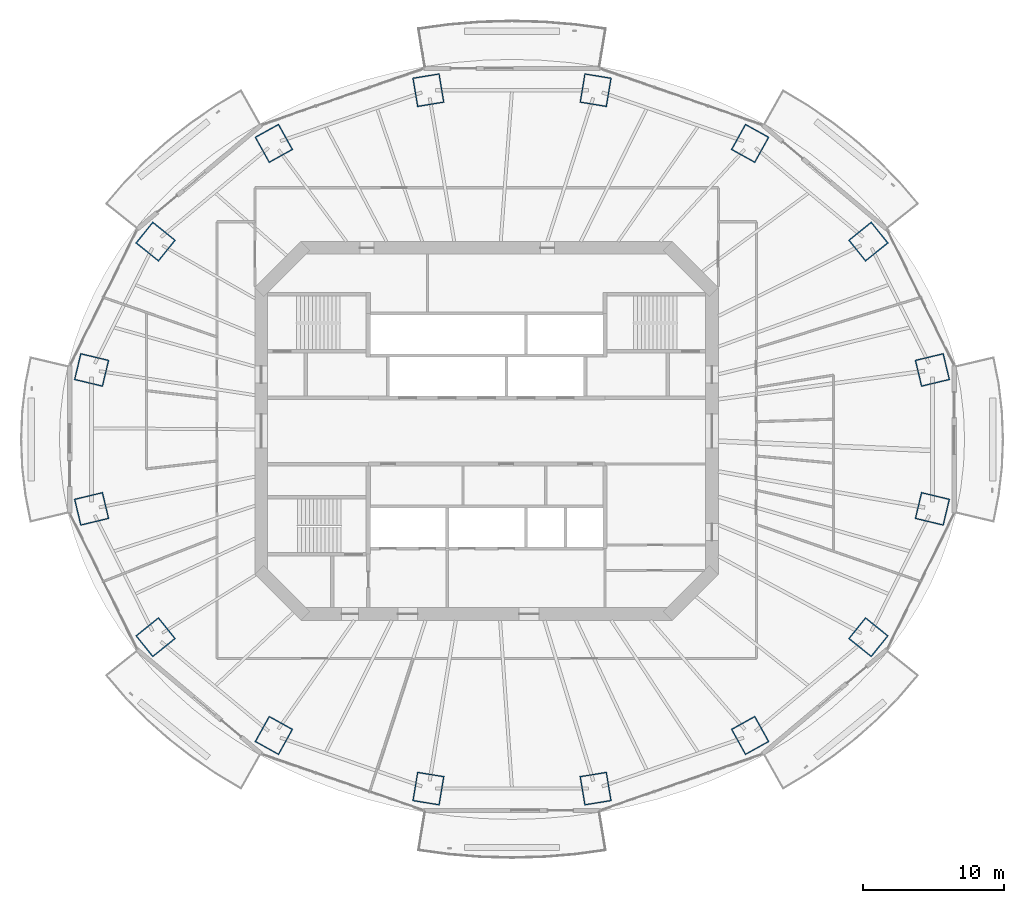
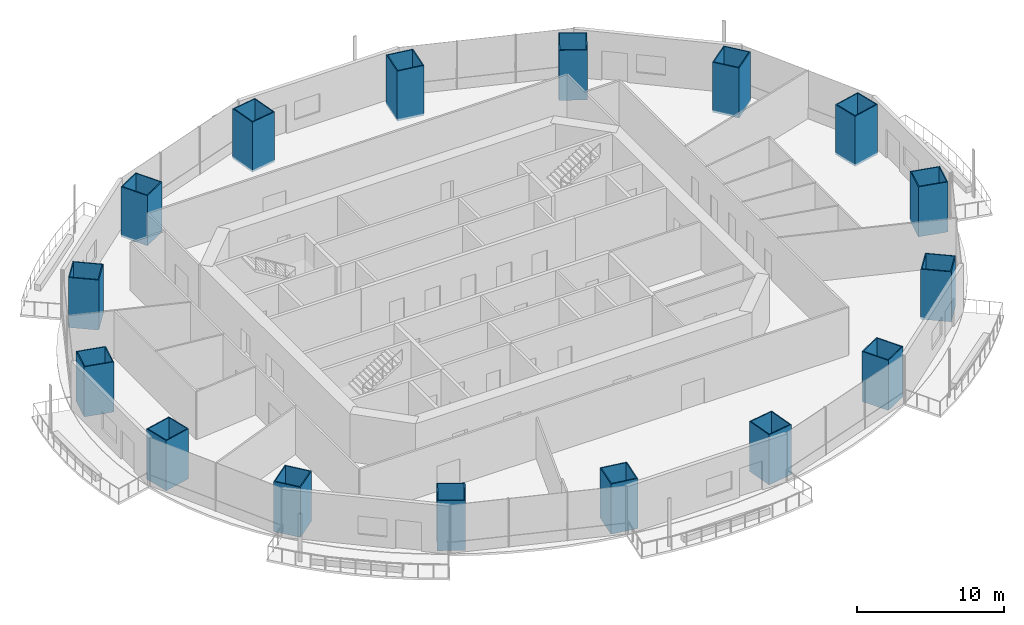
# One storey, part 1 of 20: 16 columns.
"""IFC4 building model written with IfcOpenShell, lengths in metres."""

from ifc_helpers import new_model, si_unit, direction, frame, origin, origin_2d, place, context, subcontext, project, spatial, rectangle, hollow_rectangle, extrude, material, material_profile, profile_set, type_object, element, save


model = new_model("IFC4")

# Units and contexts
model_context = context("Model", 3, precision=1e-05, world=origin(), true_north=direction((0.0, 1.0)))
body_context = subcontext(model_context, "Body", "Model", "MODEL_VIEW")
ifc_project = project(units=[si_unit("LENGTHUNIT", "METRE"), si_unit("AREAUNIT", "SQUARE_METRE"), si_unit("VOLUMEUNIT", "CUBIC_METRE"), si_unit("PLANEANGLEUNIT", "RADIAN"), si_unit("MASSUNIT", "GRAM", prefix="KILO")], contexts=[model_context])

# Site, building, storey
site_placement = place(None, origin())
site = spatial("IfcSite", under=ifc_project, at=site_placement, CompositionType="ELEMENT")
building_placement = place(site_placement, origin())
building = spatial("IfcBuilding", under=site, at=building_placement, Name="Marenthal Gate Tower", CompositionType="ELEMENT")
storey_placement = place(building_placement, frame((0.0, 0.0, 190.10009765625)))
storey = spatial("IfcBuildingStorey", under=building, at=storey_placement, Name="L41", CompositionType="ELEMENT", Elevation=190.10009765625)

# Columns
ifc_material_1 = material(Name="Steel S460", Category="steel")
ifc_material_profile_1 = material_profile(ifc_material_1, hollow_rectangle(XDim=1.949951171875, YDim=2.10009765625, WallThickness=0.074951171875, at=origin_2d()), Name="CFT BOX 2100X1950X75")
ifc_material_2 = material(Name="Concrete 70 MPa", Category="concrete")
ifc_material_profile_2 = material_profile(ifc_material_2, rectangle(XDim=1.800048828125, YDim=1.949951171875, at=origin_2d()), Name="CFT BOX 2100X1950X75 INFILL")
ifc_profile_set = profile_set([ifc_material_profile_1, ifc_material_profile_2], Name="Steel S460 shell, Concrete 70 MPa infill")
column_type = type_object("IfcColumnType", Name="CFT BOX 2100X1950X75", PredefinedType="COLUMN", material=ifc_profile_set)
for number, where, z_axis, x_axis, name in (
    (1, (31.650146484375, 4.33203125, -0.18017578125), (0.0, 0.0, 1.0), (0.232880188274, -0.972505433357, 0.0), "COL-L41-01"),
    (2, (27.105712890625, 13.4453125, -0.18017578125), (0.0, 0.0, 1.0), (0.626783341312, -0.779193585096, 0.0), "COL-L41-02"),
    (3, (18.708740234375, 20.42041015625, -0.18017578125), (0.0, 0.0, 1.0), (0.874353883953, -0.485288868217, 0.0), "COL-L41-03"),
    (4, (7.737548828125, 24.1953125, -0.18017578125), (0.0, 0.0, 1.0), (0.986623138767, -0.163017735384, 0.0), "COL-L41-04"),
    (5, (-4.1376953125, 24.1953125, -0.18017578125), (0.0, 0.0, 1.0), (0.986623138767, 0.163017735384, 0.0), "COL-L41-05"),
    (6, (-15.10888671875, 20.42041015625, -0.18017578125), (0.0, 0.0, 1.0), (0.874353883953, 0.485288868217, 0.0), "COL-L41-06"),
    (7, (-23.505859375, 13.4453125, -0.18017578125), (0.0, 0.0, 1.0), (0.626783341312, 0.779193585096, 0.0), "COL-L41-07"),
    (8, (-28.05029296875, 4.33203125, -0.18017578125), (0.0, 0.0, 1.0), (0.232880188274, 0.972505433357, 0.0), "COL-L41-08"),
    (9, (-28.05029296875, -5.531982421875, -0.18017578125), (0.0, 0.0, 1.0), (-0.232880188274, 0.972505433357, 0.0), "COL-L41-09"),
    (10, (-23.505859375, -14.6455078125, -0.18017578125), (0.0, 0.0, 1.0), (-0.626783341312, 0.779193585096, 0.0), "COL-L41-10"),
    (11, (-15.10888671875, -21.620361328125, -0.18017578125), (0.0, 0.0, 1.0), (-0.874353883953, 0.485288868217, 0.0), "COL-L41-11"),
    (12, (-4.1376953125, -25.395263671875, -0.18017578125), (0.0, 0.0, 1.0), (-0.986623138767, 0.163017735384, 0.0), "COL-L41-12"),
    (13, (7.737548828125, -25.395263671875, -0.18017578125), (0.0, 0.0, 1.0), (-0.986623138767, -0.163017735384, 0.0), "COL-L41-13"),
    (14, (18.708740234375, -21.620361328125, -0.18017578125), (0.0, 0.0, 1.0), (-0.874353883953, -0.485288868217, 0.0), "COL-L41-14"),
    (15, (27.105712890625, -14.6455078125, -0.18017578125), (0.0, 0.0, 1.0), (-0.626783341312, -0.779193585096, 0.0), "COL-L41-15"),
    (16, (31.650146484375, -5.531982421875, -0.18017578125), (0.0, 0.0, 1.0), (-0.232880188274, -0.972505433357, 0.0), "COL-L41-16"),
):
    element("IfcColumn", number, at=place(storey_placement, frame(where, z_axis=z_axis, x_axis=x_axis)), inside=storey, type_object=column_type, Name=name, PredefinedType="COLUMN", context=body_context, shape_type="SweptSolid", body=[
        extrude(hollow_rectangle(XDim=1.949951171875, YDim=2.10009765625, WallThickness=0.074951171875, at=origin_2d()), origin(), (0.0, 0.0, 1.0), 4.150146484375),
    ])

save(model, "model.ifc")
